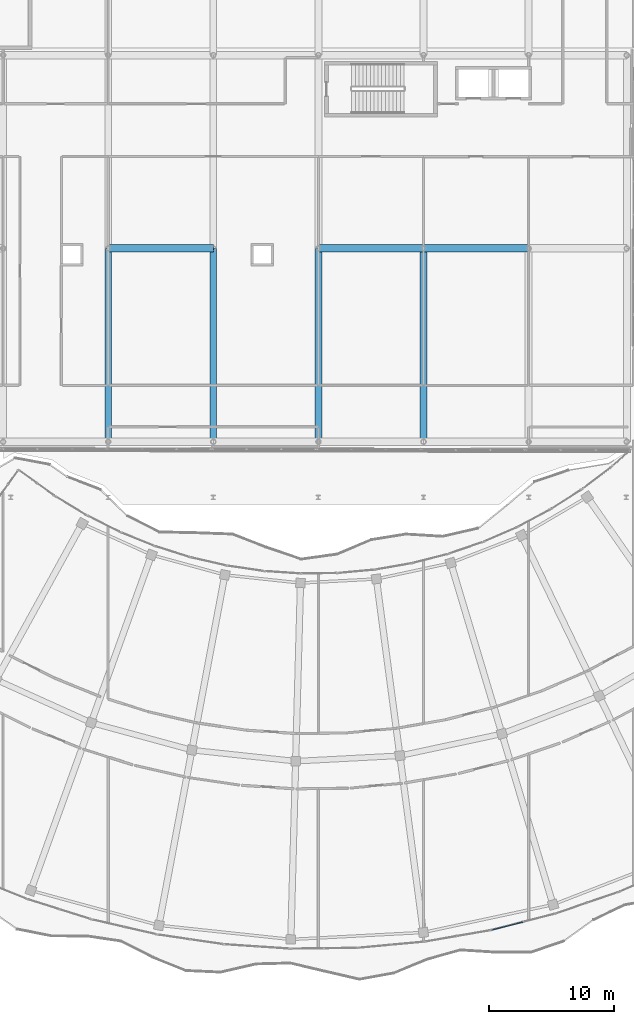
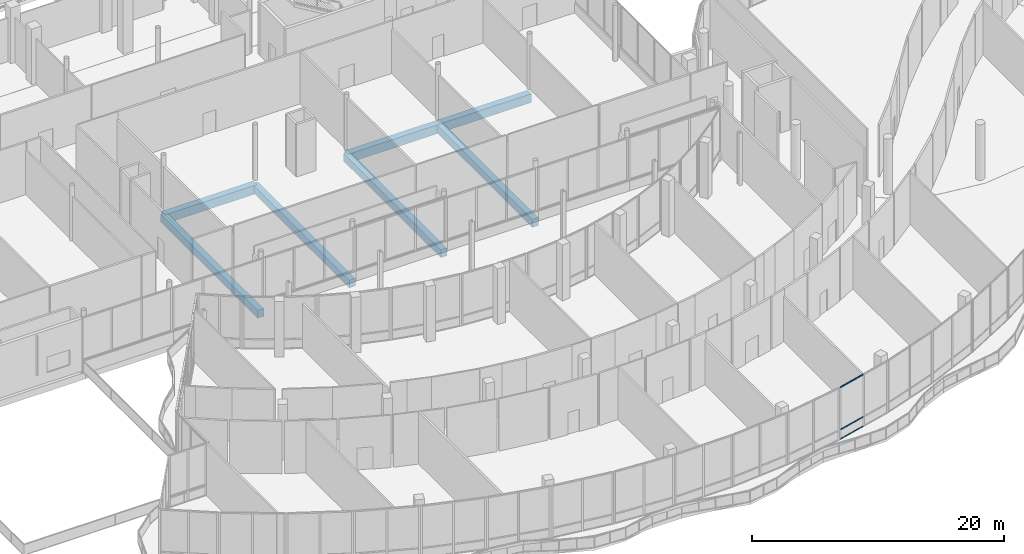
# One storey, part 42 of 158: 7 beams, 3 members, 1 element without a shape of its own.
"""IFC4 building model written with IfcOpenShell, lengths in metres."""

from ifc_helpers import new_model, si_unit, direction, frame, origin, origin_2d, place, context, subcontext, project, spatial, rectangle, hollow_rectangle, extrude, material, material_profile, profile_set, type_object, element, aggregate, save


model = new_model("IFC4")

# Units and contexts
model_context = context("Model", 3, precision=1e-05, world=origin(), true_north=direction((0.0, 1.0)))
body_context = subcontext(model_context, "Body", "Model", "MODEL_VIEW")
ifc_project = project(units=[si_unit("LENGTHUNIT", "METRE"), si_unit("AREAUNIT", "SQUARE_METRE"), si_unit("VOLUMEUNIT", "CUBIC_METRE"), si_unit("PLANEANGLEUNIT", "RADIAN"), si_unit("MASSUNIT", "GRAM", prefix="KILO")], contexts=[model_context])

# Site, building, storey
site_placement = place(None, origin())
site = spatial("IfcSite", under=ifc_project, at=site_placement, CompositionType="ELEMENT")
building_placement = place(site_placement, origin())
building = spatial("IfcBuilding", under=site, at=building_placement, Name="Selatvlak General Hospital", CompositionType="ELEMENT")
storey_placement = place(building_placement, origin())
storey = spatial("IfcBuildingStorey", under=building, at=storey_placement, Name="L00", CompositionType="ELEMENT", Elevation=0.0)

# Beams
ifc_material_1 = material(Name="Concrete C40/50", Category="concrete")
ifc_material_profile_1 = material_profile(ifc_material_1, rectangle(XDim=0.60009765625, YDim=0.85009765625, at=origin_2d()), Name="RC-BM 600x850")
ifc_profile_set_1 = profile_set([ifc_material_profile_1], Name="Concrete C40/50")
beam_type_1 = type_object("IfcBeamType", Name="BM-G01", PredefinedType="BEAM", material=ifc_profile_set_1)
beam_1_placement = place(storey_placement, frame((39.60009765625, 68.0, -0.77490234375), z_axis=(1.0, 0.0, 0.0), x_axis=(0.0, 1.0, 0.0)))
element("IfcBeam", 1, at=beam_1_placement, inside=storey, type_object=beam_type_1, Name="Beam BMR-L00-0019", PredefinedType="BEAM", context=body_context, shape_type="SweptSolid", body=[
    extrude(rectangle(XDim=0.60009765625, YDim=0.85009765625, at=origin_2d()), origin(), (0.0, 0.0, 1.0), 8.39990234375),
])
beam_2_placement = place(storey_placement, frame((56.39990234375, 68.0, -0.77490234375), z_axis=(1.0, 0.0, 0.0), x_axis=(0.0, 1.0, 0.0)))
element("IfcBeam", 2, at=beam_2_placement, inside=storey, type_object=beam_type_1, Name="Beam BMR-L00-0020", PredefinedType="BEAM", context=body_context, shape_type="SweptSolid", body=[
    extrude(rectangle(XDim=0.60009765625, YDim=0.85009765625, at=origin_2d()), origin(), (0.0, 0.0, 1.0), 8.400146484375),
])
beam_3_placement = place(storey_placement, frame((64.800048828125, 68.0, -0.77490234375), z_axis=(1.0, 0.0, 0.0), x_axis=(0.0, 1.0, 0.0)))
element("IfcBeam", 3, at=beam_3_placement, inside=storey, type_object=beam_type_1, Name="Beam BMR-L00-0021", PredefinedType="BEAM", context=body_context, shape_type="SweptSolid", body=[
    extrude(rectangle(XDim=0.60009765625, YDim=0.85009765625, at=origin_2d()), origin(), (0.0, 0.0, 1.0), 8.39990234375),
])
ifc_material_profile_2 = material_profile(ifc_material_1, rectangle(XDim=0.550048828125, YDim=0.75, at=origin_2d()), Name="RC-BM 550x750")
ifc_profile_set_2 = profile_set([ifc_material_profile_2], Name="Concrete C40/50")
beam_type_2 = type_object("IfcBeamType", Name="BM-G02", PredefinedType="BEAM", material=ifc_profile_set_2)
for number, where, z_axis, x_axis, name in (
    (4, (39.60009765625, 52.550048828125, -0.72509765625), (0.0, 1.0, 0.0), (-1.0, 0.0, 0.0), "Beam BMR-L00-0174"),
    (5, (48.0, 52.550048828125, -0.72509765625), (0.0, 1.0, 0.0), (-1.0, 0.0, 0.0), "Beam BMR-L00-0181"),
    (6, (56.39990234375, 52.550048828125, -0.72509765625), (0.0, 1.0, 0.0), (-1.0, 0.0, 0.0), "Beam BMR-L00-0188"),
    (7, (64.800048828125, 52.550048828125, -0.72509765625), (0.0, 1.0, 0.0), (-1.0, 0.0, 0.0), "Beam BMR-L00-0197"),
):
    element("IfcBeam", number, at=place(storey_placement, frame(where, z_axis=z_axis, x_axis=x_axis)), inside=storey, type_object=beam_type_2, Name=name, PredefinedType="BEAM", context=body_context, shape_type="SweptSolid", body=[
        extrude(rectangle(XDim=0.550048828125, YDim=0.75, at=origin_2d()), origin(), (0.0, 0.0, 1.0), 15.449951171875),
    ])

# Curtain wall, members
ifc_material_2 = material(Name="Solar-control Low-E double glazing", Category="glass")
curtain_wall_type = type_object("IfcCurtainWallType", Name="CW-CW-01", PredefinedType="USERDEFINED", material=ifc_material_2)
curtain_wall_placement = place(storey_placement, origin())
curtain_wall = element("IfcCurtainWall", 8, at=curtain_wall_placement, inside=storey, type_object=curtain_wall_type, Name="Glazed facade curtain wall CW-L00-0051", ObjectType="UNITISED CURTAIN WALL", PredefinedType="USERDEFINED")
ifc_material_3 = material(Name="Dark anodised aluminium mullion", Category="aluminium")
ifc_material_profile_3 = material_profile(ifc_material_3, hollow_rectangle(XDim=0.06494140625, YDim=0.1201171875, WallThickness=0.00390625, at=origin_2d()), Name="AL-TRN 65x120x4")
ifc_profile_set_3 = profile_set([ifc_material_profile_3], Name="Dark anodised aluminium mullion")
member_type = type_object("IfcMemberType", Name="CWT-01", PredefinedType="USERDEFINED", material=ifc_profile_set_3)
member_1_placement = place(storey_placement, frame((72.718017578125, 14.158447265625, 0.032470703125), z_axis=(-0.968616485503, -0.248560061176, 0.0), x_axis=(0.248560061176, -0.968616485503, 0.0)))
member_1 = element("IfcMember", 9, at=member_1_placement, type_object=member_type, Name="CW-01 transom 2.1", ObjectType="TRANSOM", PredefinedType="USERDEFINED", context=body_context, shape_type="SweptSolid", body=[
    extrude(hollow_rectangle(XDim=0.06494140625, YDim=0.1201171875, WallThickness=0.00390625, at=origin_2d()), origin(), (0.0, 0.0, 1.0), 2.5439453125),
])
member_2_placement = place(storey_placement, frame((72.718017578125, 14.158447265625, 0.949951171875), z_axis=(-0.968616485503, -0.248560061176, 0.0), x_axis=(0.248560061176, -0.968616485503, 0.0)))
member_2 = element("IfcMember", 10, at=member_2_placement, type_object=member_type, Name="CW-01 transom 2.2", ObjectType="TRANSOM", PredefinedType="USERDEFINED", context=body_context, shape_type="SweptSolid", body=[
    extrude(hollow_rectangle(XDim=0.06494140625, YDim=0.1201171875, WallThickness=0.00390625, at=origin_2d()), origin(), (0.0, 0.0, 1.0), 2.5439453125),
])
member_3_placement = place(storey_placement, frame((72.718017578125, 14.158447265625, 5.047607421875), z_axis=(-0.968616485503, -0.248560061176, 0.0), x_axis=(0.248560061176, -0.968616485503, 0.0)))
member_3 = element("IfcMember", 11, at=member_3_placement, type_object=member_type, Name="CW-01 transom 2.3", ObjectType="TRANSOM", PredefinedType="USERDEFINED", context=body_context, shape_type="SweptSolid", body=[
    extrude(hollow_rectangle(XDim=0.06494140625, YDim=0.1201171875, WallThickness=0.00390625, at=origin_2d()), origin(), (0.0, 0.0, 1.0), 2.5439453125),
])
aggregate(curtain_wall, [member_1, member_2, member_3])

save(model, "model.ifc")
